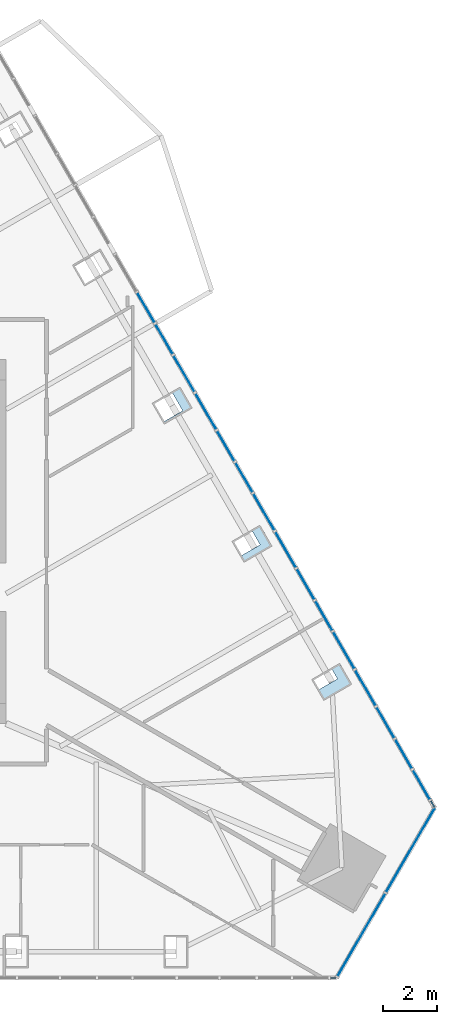
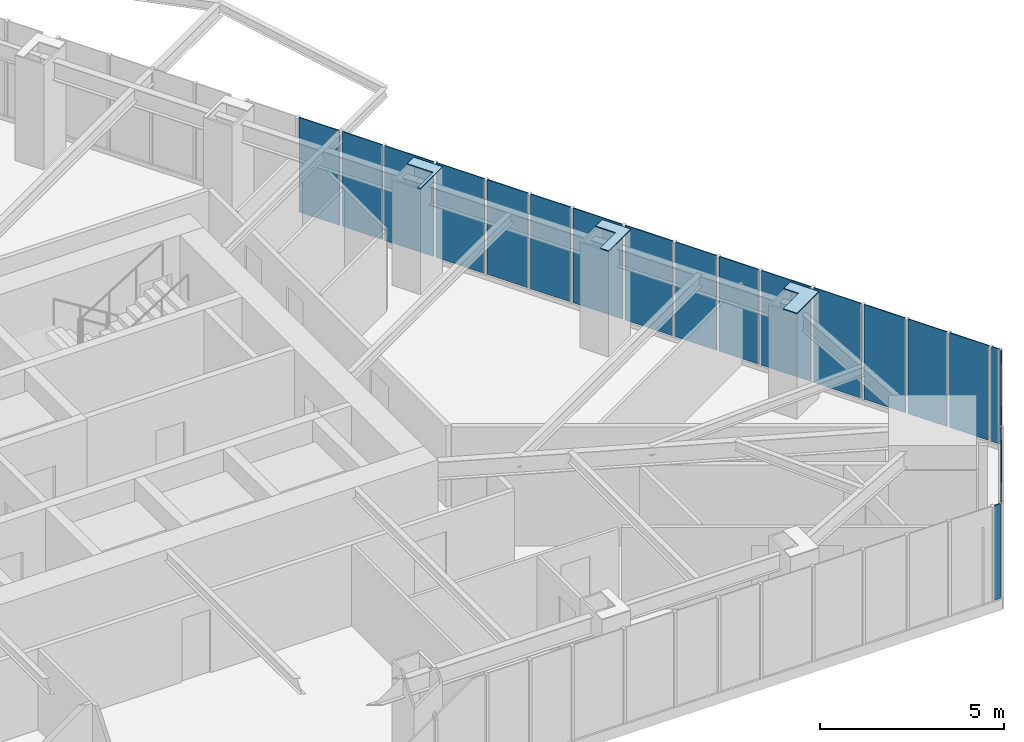
# One storey, part 12 of 19: 22 plates, 3 elements without a shape of their own.
"""IFC4 building model written with IfcOpenShell, lengths in metres."""

from ifc_helpers import new_model, si_unit, direction, frame, origin, place, context, subcontext, project, spatial, polyline, outline, extrude, material, layer, layer_set, type_object, element, aggregate, save


model = new_model("IFC4")

# Units and contexts
model_context = context("Model", 3, precision=1e-05, world=origin(), true_north=direction((0.0, 1.0)))
body_context = subcontext(model_context, "Body", "Model", "MODEL_VIEW")
ifc_project = project(units=[si_unit("LENGTHUNIT", "METRE"), si_unit("AREAUNIT", "SQUARE_METRE"), si_unit("VOLUMEUNIT", "CUBIC_METRE"), si_unit("PLANEANGLEUNIT", "RADIAN"), si_unit("MASSUNIT", "GRAM", prefix="KILO")], contexts=[model_context])

# Site, building, storey
site_placement = place(None, origin())
site = spatial("IfcSite", under=ifc_project, at=site_placement, CompositionType="ELEMENT")
building_placement = place(site_placement, origin())
building = spatial("IfcBuilding", under=site, at=building_placement, Name="Firuza Gate Tower and Library", CompositionType="ELEMENT")
storey_placement = place(building_placement, frame((0.0, 0.0, 316.10009765625)))
storey = spatial("IfcBuildingStorey", under=building, at=storey_placement, Name="L77", CompositionType="ELEMENT", Elevation=316.10009765625)

# Plates
ifc_material_1 = material(Name="Steel S355", Category="steel")
ifc_layer_1 = layer(ifc_material_1, 0.030029296875)
ifc_layer_set_1 = layer_set([ifc_layer_1], Name="Column infill plate 30 Steel S355")
plate_type_1 = type_object("IfcPlateType", Name="Column infill plate 30 Steel S355", PredefinedType="SHEET", material=ifc_layer_set_1)
placement_1 = place(storey_placement, frame((0.0, 0.0, 3.5)))
element("IfcPlate", 1, at=placement_1, inside=storey, type_object=plate_type_1, Name="Infill plate L77:E1", PredefinedType="SHEET", context=body_context, shape_type="SweptSolid", body=[
    extrude(outline(polyline([(95.875244140625, 70.482421875), (95.567138671875, 70.304443359375), (95.797119140625, 69.90625), (95.06591796875, 69.48388671875), (95.285888671875, 69.10302734375), (96.3251953125, 69.702880859375), (95.875244140625, 70.482421875)])), origin(), (0.0, 0.0, 1.0), 0.02978515625),
])
element("IfcPlate", 2, at=placement_1, inside=storey, type_object=plate_type_1, Name="Infill plate L77:E2", PredefinedType="SHEET", context=body_context, shape_type="SweptSolid", body=[
    extrude(outline(polyline([(92.915283203125, 75.609130859375), (92.607177734375, 75.431396484375), (92.92529296875, 74.880615234375), (92.19384765625, 74.45849609375), (92.325927734375, 74.229736328125), (93.365234375, 74.829833984375), (92.915283203125, 75.609130859375)])), origin(), (0.0, 0.0, 1.0), 0.02978515625),
])
element("IfcPlate", 3, at=placement_1, inside=storey, type_object=plate_type_1, Name="Infill plate L77:E3", PredefinedType="SHEET", context=body_context, shape_type="SweptSolid", body=[
    extrude(outline(polyline([(89.955078125, 80.736083984375), (89.647216796875, 80.558349609375), (90.05322265625, 79.85498046875), (89.322021484375, 79.432861328125), (89.365966796875, 79.356689453125), (90.4052734375, 79.95654296875), (89.955078125, 80.736083984375)])), origin(), (0.0, 0.0, 1.0), 0.02978515625),
])

# Curtain wall, plates
ifc_material_2 = material(Name="Aluminium 6063-T6", Category="aluminium")
ifc_layer_2 = layer(ifc_material_2, 0.14990234375)
ifc_layer_set_2 = layer_set([ifc_layer_2], Name="Corner curtain wall, chamfers")
curtain_wall_type_1 = type_object("IfcCurtainWallType", Name="Corner curtain wall, chamfers", PredefinedType="NOTDEFINED", material=ifc_layer_set_2)
placement_2 = place(storey_placement, origin())
curtain_wall_1 = element("IfcCurtainWall", 4, at=placement_2, inside=storey, type_object=curtain_wall_type_1, Name="CW4 L77 SE corner", PredefinedType="NOTDEFINED")
ifc_material_3 = material(Name="Fritted glass", Category="glass")
ifc_layer_3 = layer(ifc_material_3, 0.030029296875)
ifc_layer_set_3 = layer_set([ifc_layer_3], Name="Fritted glass unit, corners")
plate_type_2 = type_object("IfcPlateType", Name="Fritted glass unit, corners", PredefinedType="CURTAIN_PANEL", material=ifc_layer_set_3)
plate_4_placement = place(storey_placement, frame((95.79638671875, 58.83251953125, 0.14990234375), z_axis=(0.866046390552, -0.49996364809, 0.0), x_axis=(0.49996364809, 0.866046390552, 0.0)))
plate_4 = element("IfcPlate", 5, at=plate_4_placement, type_object=plate_type_2, Name="Glass unit", PredefinedType="CURTAIN_PANEL", context=body_context, shape_type="SweptSolid", body=[
    extrude(outline(polyline([(0.0, 0.0), (3.563247342942594, 0.0), (3.563247342942594, 3.14990234375), (0.0, 3.14990234375), (0.0, 0.0)])), origin(), (0.0, 0.0, -1.0), 0.030029296875),
])
plate_5_placement = place(storey_placement, frame((97.617919921875, 61.98779296875, 0.14990234375), z_axis=(0.866016723041, -0.500015035186, 0.0), x_axis=(0.500015035186, 0.866016723041, 0.0)))
plate_5 = element("IfcPlate", 6, at=plate_5_placement, type_object=plate_type_2, Name="Glass unit", PredefinedType="CURTAIN_PANEL", context=body_context, shape_type="SweptSolid", body=[
    extrude(outline(polyline([(0.0, 0.0), (3.5633694106530625, 0.0), (3.5633694106530625, 3.14990234375), (0.0, 3.14990234375), (0.0, 0.0)])), origin(), (0.0, 0.0, -1.0), 0.030029296875),
])
aggregate(curtain_wall_1, [plate_4, plate_5])

ifc_material_4 = material(Name="Aluminium 6063-T6", Category="aluminium")
ifc_layer_4 = layer(ifc_material_4, 0.14990234375)
ifc_layer_set_4 = layer_set([ifc_layer_4], Name="Unitised curtain wall, residences")
curtain_wall_type_2 = type_object("IfcCurtainWallType", Name="Unitised curtain wall, residences", PredefinedType="NOTDEFINED", material=ifc_layer_set_4)
curtain_wall_2 = element("IfcCurtainWall", 7, at=placement_2, inside=storey, type_object=curtain_wall_type_2, Name="CW3 L77 E face", PredefinedType="NOTDEFINED")
ifc_material_5 = material(Name="Fritted glass", Category="glass")
ifc_layer_5 = layer(ifc_material_5, 0.030029296875)
ifc_layer_set_5 = layer_set([ifc_layer_5], Name="Fritted glass unit, residences")
plate_type_3 = type_object("IfcPlateType", Name="Fritted glass unit, residences", PredefinedType="CURTAIN_PANEL", material=ifc_layer_set_5)
plate_6_placement = place(storey_placement, frame((99.23388671875, 65.44482421875, 0.14990234375), z_axis=(0.866035156036, 0.499983108224, 0.0), x_axis=(-0.499983108224, 0.866035156036, 0.0)))
plate_6 = element("IfcPlate", 8, at=plate_6_placement, type_object=plate_type_3, Name="Glass unit", PredefinedType="CURTAIN_PANEL", context=body_context, shape_type="SweptSolid", body=[
    extrude(outline(polyline([(0.0, 0.0), (1.2432060624165047, 0.0), (1.2432060624165047, 3.14990234375), (0.0, 3.14990234375), (0.0, 0.0)])), origin(), (0.0, 0.0, -1.0), 0.030029296875),
])
plate_7_placement = place(storey_placement, frame((97.223388671875, 68.927001953125, 0.14990234375), z_axis=(0.866071776036, 0.499919672301, 0.0), x_axis=(-0.499919672301, 0.866071776036, 0.0)))
plate_7 = element("IfcPlate", 9, at=plate_7_placement, type_object=plate_type_3, Name="Glass unit", PredefinedType="CURTAIN_PANEL", context=body_context, shape_type="SweptSolid", body=[
    extrude(outline(polyline([(0.0, 0.0), (1.5002410218196325, 0.0), (1.5002410218196325, 3.14990234375), (0.0, 3.14990234375), (0.0, 0.0)])), origin(), (0.0, 0.0, -1.0), 0.030029296875),
])
plate_8_placement = place(storey_placement, frame((96.433349609375, 70.29541015625, 0.14990234375), z_axis=(0.866032025414, 0.499988530825, 0.0), x_axis=(-0.499988530825, 0.866032025414, 0.0)))
plate_8 = element("IfcPlate", 10, at=plate_8_placement, type_object=plate_type_3, Name="Glass unit", PredefinedType="CURTAIN_PANEL", context=body_context, shape_type="SweptSolid", body=[
    extrude(outline(polyline([(0.0, 0.0), (1.5620475495436166, 0.0), (1.5620475495436166, 3.14990234375), (0.0, 3.14990234375), (0.0, 0.0)])), origin(), (0.0, 0.0, -1.0), 0.030029296875),
])
plate_9_placement = place(storey_placement, frame((94.263427734375, 74.053955078125, 0.14990234375), z_axis=(0.866059247079, 0.499941377112, 0.0), x_axis=(-0.499941377112, 0.866059247079, 0.0)))
plate_9 = element("IfcPlate", 11, at=plate_9_placement, type_object=plate_type_3, Name="Glass unit", PredefinedType="CURTAIN_PANEL", context=body_context, shape_type="SweptSolid", body=[
    extrude(outline(polyline([(0.0, 0.0), (1.5123843519276532, 0.0), (1.5123843519276532, 3.14990234375), (0.0, 3.14990234375), (0.0, 0.0)])), origin(), (0.0, 0.0, -1.0), 0.030029296875),
])
plate_10_placement = place(storey_placement, frame((93.46728515625, 75.43310546875, 0.14990234375), z_axis=(0.866004557827, 0.500036104519, 0.0), x_axis=(-0.500036104519, 0.866004557827, 0.0)))
plate_10 = element("IfcPlate", 12, at=plate_10_placement, type_object=plate_type_3, Name="Glass unit", PredefinedType="CURTAIN_PANEL", context=body_context, shape_type="SweptSolid", body=[
    extrude(outline(polyline([(0.0, 0.0), (1.5496927856736717, 0.0), (1.5496927856736717, 3.14990234375), (0.0, 3.14990234375), (0.0, 0.0)])), origin(), (0.0, 0.0, -1.0), 0.030029296875),
])
plate_11_placement = place(storey_placement, frame((91.303466796875, 79.1806640625, 0.14990234375), z_axis=(0.866057632134, 0.499944174705, 0.0), x_axis=(-0.499944174705, 0.866057632134, 0.0)))
plate_11 = element("IfcPlate", 13, at=plate_11_placement, type_object=plate_type_3, Name="Glass unit", PredefinedType="CURTAIN_PANEL", context=body_context, shape_type="SweptSolid", body=[
    extrude(outline(polyline([(0.0, 0.0), (1.525072619006771, 0.0), (1.525072619006771, 3.14990234375), (0.0, 3.14990234375), (0.0, 0.0)])), origin(), (0.0, 0.0, -1.0), 0.030029296875),
])
plate_12_placement = place(storey_placement, frame((90.5009765625, 80.570556640625, 0.14990234375), z_axis=(0.866085108007, 0.499896574992, 0.0), x_axis=(-0.499896574992, 0.866085108007, 0.0)))
plate_12 = element("IfcPlate", 14, at=plate_12_placement, type_object=plate_type_3, Name="Glass unit", PredefinedType="CURTAIN_PANEL", context=body_context, shape_type="SweptSolid", body=[
    extrude(outline(polyline([(0.0, 0.0), (1.537427391880926, 0.0), (1.537427391880926, 3.149902343750001), (0.0, 3.149902343750001), (0.0, 0.0)])), origin(), (0.0, 0.0, -1.0), 0.030029296875),
])

# Curtain wall, plate
curtain_wall_3 = element("IfcCurtainWall", 15, at=placement_2, inside=storey, type_object=curtain_wall_type_2, Name="CW3 L77 S face", PredefinedType="NOTDEFINED")
ifc_material_6 = material(Name="Glazed ceramic tile")
ifc_layer_6 = layer(ifc_material_6, 0.030029296875)
ifc_layer_set_6 = layer_set([ifc_layer_6], Name="Opaque ceramic panel, residences")
plate_type_4 = type_object("IfcPlateType", Name="Opaque ceramic panel, residences", PredefinedType="CURTAIN_PANEL", material=ifc_layer_set_6)
plate_13_placement = place(storey_placement, frame((95.537109375, 58.790283203125, 0.14990234375), z_axis=(0.0, -1.0, 0.0), x_axis=(1.0, 0.0, 0.0)))
plate_13 = element("IfcPlate", 16, at=plate_13_placement, type_object=plate_type_4, Name="Opaque ceramic panel", PredefinedType="CURTAIN_PANEL", context=body_context, shape_type="SweptSolid", body=[
    extrude(outline(polyline([(0.0, 0.0), (0.186279296875, 0.0), (0.186279296875, 3.14990234375), (0.0, 3.14990234375), (0.0, 0.0)])), origin(), (0.0, 0.0, -1.0), 0.030029296875),
])
aggregate(curtain_wall_3, [plate_13])

# Plate
plate_14_placement = place(storey_placement, frame((99.399658203125, 65.157958984375, 0.14990234375), z_axis=(0.865780878536, 0.500423291185, 0.0), x_axis=(-0.500423291185, 0.865780878536, 0.0)))
plate_14 = element("IfcPlate", 17, at=plate_14_placement, type_object=plate_type_4, Name="Opaque ceramic panel", PredefinedType="CURTAIN_PANEL", context=body_context, shape_type="SweptSolid", body=[
    extrude(outline(polyline([(0.0, 0.0), (0.2512521381192305, 0.0), (0.2512521381192305, 3.14990234375), (0.0, 3.14990234375), (0.0, 0.0)])), origin(), (0.0, 0.0, -1.0), 0.030029296875),
])

plate_15_placement = place(storey_placement, frame((98.572509765625, 66.590576171875, 0.14990234375), z_axis=(0.86602717807, 0.499996926835, 0.0), x_axis=(-0.499996926835, 0.86602717807, 0.0)))
plate_15 = element("IfcPlate", 18, at=plate_15_placement, type_object=plate_type_4, Name="Opaque ceramic panel", PredefinedType="CURTAIN_PANEL", context=body_context, shape_type="SweptSolid", body=[
    extrude(outline(polyline([(0.0, 0.0), (1.2319411656664472, 0.0), (1.2319411656664472, 3.14990234375), (0.0, 3.14990234375), (0.0, 0.0)])), origin(), (0.0, 0.0, -1.0), 0.030029296875),
])

plate_16_placement = place(storey_placement, frame((97.91650390625, 67.726806640625, 0.14990234375), z_axis=(0.865967633634, 0.500100047489, 0.0), x_axis=(-0.500100047489, 0.865967633634, 0.0)))
plate_16 = element("IfcPlate", 19, at=plate_16_placement, type_object=plate_type_4, Name="Opaque ceramic panel", PredefinedType="CURTAIN_PANEL", context=body_context, shape_type="SweptSolid", body=[
    extrude(outline(polyline([(0.0, 0.0), (1.3058910415100855, 0.0), (1.3058910415100855, 3.149902343750001), (0.0, 3.149902343750001), (0.0, 0.0)])), origin(), (0.0, 0.0, -1.0), 0.030029296875),
])

plate_17_placement = place(storey_placement, frame((95.6123046875, 71.717529296875, 0.14990234375), z_axis=(0.866012380058, 0.500022557078, 0.0), x_axis=(-0.500022557078, 0.866012380058, 0.0)))
plate_17 = element("IfcPlate", 20, at=plate_17_placement, type_object=plate_type_4, Name="Opaque ceramic panel", PredefinedType="CURTAIN_PANEL", context=body_context, shape_type="SweptSolid", body=[
    extrude(outline(polyline([(0.0, 0.0), (1.2440844991770783, 0.0), (1.2440844991770783, 3.14990234375), (0.0, 3.14990234375), (0.0, 0.0)])), origin(), (0.0, 0.0, -1.0), 0.030029296875),
])

plate_18_placement = place(storey_placement, frame((94.9501953125, 72.8642578125, 0.14990234375), z_axis=(0.866063024342, 0.49993483362, 0.0), x_axis=(-0.49993483362, 0.866063024342, 0.0)))
plate_18 = element("IfcPlate", 21, at=plate_18_placement, type_object=plate_type_4, Name="Opaque ceramic panel", PredefinedType="CURTAIN_PANEL", context=body_context, shape_type="SweptSolid", body=[
    extrude(outline(polyline([(0.0, 0.0), (1.2936256330486537, 0.0), (1.2936256330486537, 3.1499023437499996), (0.0, 3.1499023437499996), (0.0, 0.0)])), origin(), (0.0, 0.0, -1.0), 0.030029296875),
])

plate_19_placement = place(storey_placement, frame((92.65234375, 76.844482421875, 0.14990234375), z_axis=(0.866046450459, 0.499963544319, 0.0), x_axis=(-0.499963544319, 0.866046450459, 0.0)))
plate_19 = element("IfcPlate", 22, at=plate_19_placement, type_object=plate_type_4, Name="Opaque ceramic panel", PredefinedType="CURTAIN_PANEL", context=body_context, shape_type="SweptSolid", body=[
    extrude(outline(polyline([(0.0, 0.0), (1.2564392649479683, 0.0), (1.2564392649479683, 3.14990234375), (0.0, 3.14990234375), (0.0, 0.0)])), origin(), (0.0, 0.0, -1.0), 0.030029296875),
])

plate_20_placement = place(storey_placement, frame((91.984130859375, 78.001953125, 0.14990234375), z_axis=(0.866030104553, 0.499991857942, 0.0), x_axis=(-0.499991857942, 0.866030104553, 0.0)))
plate_20 = element("IfcPlate", 23, at=plate_20_placement, type_object=plate_type_4, Name="Opaque ceramic panel", PredefinedType="CURTAIN_PANEL", context=body_context, shape_type="SweptSolid", body=[
    extrude(outline(polyline([(0.0, 0.0), (1.2812708643633335, 0.0), (1.2812708643633335, 3.14990234375), (0.0, 3.14990234375), (0.0, 0.0)])), origin(), (0.0, 0.0, -1.0), 0.030029296875),
])

plate_21_placement = place(storey_placement, frame((89.6923828125, 81.97119140625, 0.14990234375), z_axis=(0.865996539853, 0.500049990464, 0.0), x_axis=(-0.500049990464, 0.865996539853, 0.0)))
plate_21 = element("IfcPlate", 24, at=plate_21_placement, type_object=plate_type_4, Name="Opaque ceramic panel", PredefinedType="CURTAIN_PANEL", context=body_context, shape_type="SweptSolid", body=[
    extrude(outline(polyline([(0.0, 0.0), (1.2689161013411159, 0.0), (1.2689161013411159, 3.14990234375), (0.0, 3.14990234375), (0.0, 0.0)])), origin(), (0.0, 0.0, -1.0), 0.030029296875),
])

plate_22_placement = place(storey_placement, frame((89.017822265625, 83.139404296875, 0.14990234375), z_axis=(0.86607985344, 0.499905678569, 0.0), x_axis=(-0.499905678569, 0.86607985344, 0.0)))
plate_22 = element("IfcPlate", 25, at=plate_22_placement, type_object=plate_type_4, Name="Opaque ceramic panel", PredefinedType="CURTAIN_PANEL", context=body_context, shape_type="SweptSolid", body=[
    extrude(outline(polyline([(0.0, 0.0), (1.2687940364392636, 0.0), (1.2687940364392636, 3.14990234375), (0.0, 3.14990234375), (0.0, 0.0)])), origin(), (0.0, 0.0, -1.0), 0.030029296875),
])

aggregate(curtain_wall_2, [plate_14, plate_6, plate_15, plate_16, plate_7, plate_8, plate_17, plate_18, plate_9, plate_10, plate_19, plate_20, plate_11, plate_12, plate_21, plate_22])

save(model, "model.ifc")
